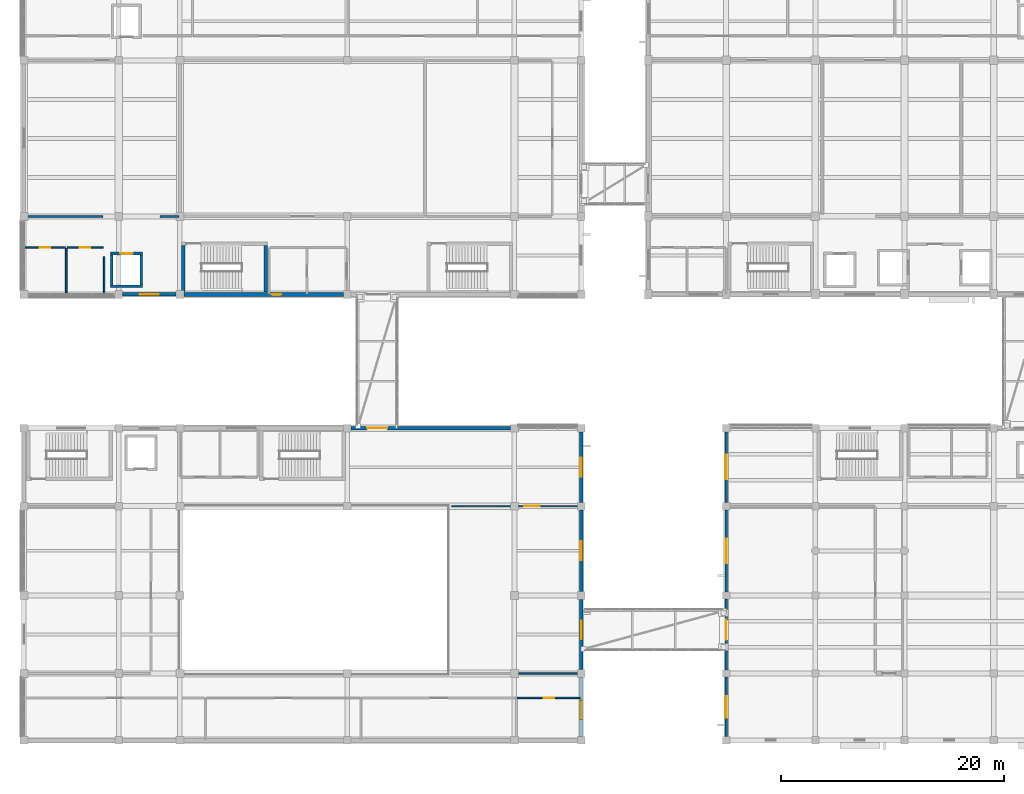
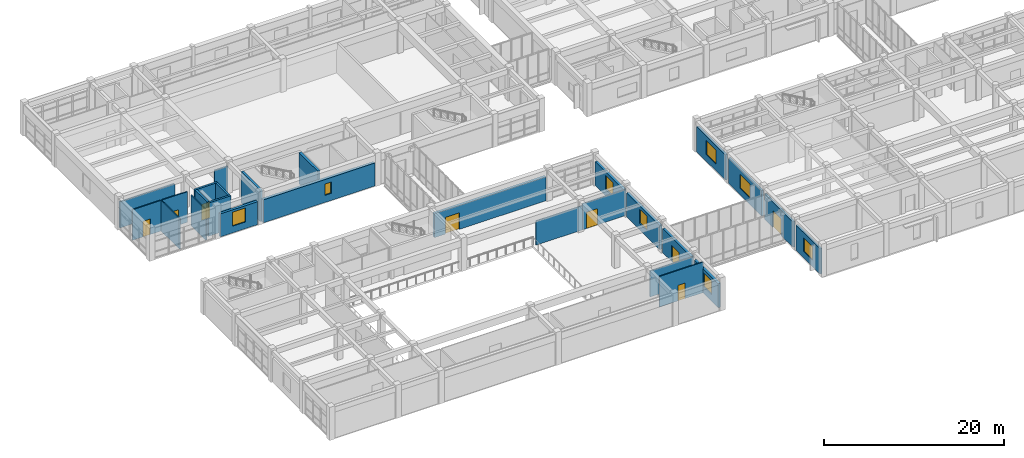
# One storey, part 46 of 70: 27 walls, 8 doors, 8 windows, 16 openings.
"""IFC4 building model written with IfcOpenShell, lengths in metres."""

from ifc_helpers import new_model, si_unit, direction, frame, frame_2d, origin, place, context, subcontext, project, spatial, rectangle, extrude, material, layer, layer_set, type_object, element, fill, save


model = new_model("IFC4")

# Units and contexts
model_context = context("Model", 3, precision=1e-05, world=origin(), true_north=direction((0.0, 1.0)))
body_context = subcontext(model_context, "Body", "Model", "MODEL_VIEW")
ifc_project = project(units=[si_unit("LENGTHUNIT", "METRE"), si_unit("AREAUNIT", "SQUARE_METRE"), si_unit("VOLUMEUNIT", "CUBIC_METRE"), si_unit("PLANEANGLEUNIT", "RADIAN"), si_unit("MASSUNIT", "GRAM", prefix="KILO")], contexts=[model_context])

# Site, building, storey
site_placement = place(None, origin())
site = spatial("IfcSite", under=ifc_project, at=site_placement, CompositionType="ELEMENT")
building_placement = place(site_placement, origin())
building = spatial("IfcBuilding", under=site, at=building_placement, Name="Naurynzar Civic Courthouse", CompositionType="ELEMENT")
storey_placement = place(building_placement, frame((0.0, 0.0, 5.39990234375)))
storey = spatial("IfcBuildingStorey", under=building, at=storey_placement, Name="L02", CompositionType="ELEMENT", Elevation=5.39990234375)

# Walls
ifc_material_1 = material(Name="Concrete C40/50", Category="concrete")
ifc_layer_1 = layer(ifc_material_1, 0.300048828125)
ifc_layer_set_1 = layer_set([ifc_layer_1], Name="WL-CORE-300")
wall_type_1 = type_object("IfcWallType", Name="WL-CORE-300", PredefinedType="SHEAR", material=ifc_layer_set_1)
for number, where, z_axis, x_axis, name in (
    (1, (20.300048828125, 48.39501953125, 0.0), (0.0, 0.0, 1.0), (0.0, -1.0, 0.0), "Stair ST-V1A enclosure wall west L02"),
    (2, (27.699951171875, 44.195068359375, 0.0), (0.0, 0.0, 1.0), (0.0, 1.0, 0.0), "Stair ST-V1A enclosure wall east L02"),
):
    element("IfcWall", number, at=place(storey_placement, frame(where, z_axis=z_axis, x_axis=x_axis)), inside=storey, type_object=wall_type_1, Name=name, PredefinedType="SHEAR", context=body_context, shape_type="SweptSolid", body=[
        extrude(rectangle(XDim=4.199951171875, YDim=0.300048828125, at=frame_2d((2.10009765625, 0.0))), origin(), (0.0, 0.0, 1.0), 4.239990234375),
    ])

# Wall, opening, window
ifc_material_2 = material(Name="Precast concrete C40/50", Category="concrete")
ifc_layer_2 = layer(ifc_material_2, 0.260009765625)
ifc_layer_set_2 = layer_set([ifc_layer_2], Name="WL-EXT-260")
wall_type_2 = type_object("IfcWallType", Name="WL-EXT-260", PredefinedType="SOLIDWALL", material=ifc_layer_set_2)
wall_1_placement = place(storey_placement, frame((69.0, 4.324951171875, 0.0), z_axis=(0.0, 0.0, 1.0), x_axis=(0.0, 1.0, 0.0)))
wall_1 = element("IfcWall", 3, at=wall_1_placement, inside=storey, type_object=wall_type_2, Name="V3 exterior wall west L02.1.1", PredefinedType="SOLIDWALL", context=body_context, shape_type="SweptSolid", body=[
    extrude(rectangle(XDim=5.35009765625, YDim=0.260009765625, at=frame_2d((2.675048828125, 0.0))), origin(), (0.0, 0.0, 1.0), 3.440185546875),
])
opening_1_placement = place(wall_1_placement, frame((1.699951171875, 0.0, 0.89990234375)))
opening_1 = element("IfcOpeningElement", 4, at=opening_1_placement, cuts=wall_1, Name="Opening WN-12", PredefinedType="OPENING", context=body_context, shape_type="SweptSolid", body=[
    extrude(rectangle(XDim=1.949951171875, YDim=1.85009765625, at=frame_2d((0.97509765625, 0.925048828125))), frame((0.0, 0.139892578125, 0.0), z_axis=(0.0, -1.0, 0.0), x_axis=(1.0, 0.0, 0.0)), (0.0, 0.0, 1.0), 0.280029296875),
])
ifc_material_3 = material(Name="Tempered Laminated Low-E Glass", Category="glass")
window_type_1 = type_object("IfcWindowType", Name="WIN-LIB-READ-1950x1850", PartitioningType="DOUBLE_PANEL_VERTICAL", PredefinedType="WINDOW", material=ifc_material_3)
window_1_placement = place(opening_1_placement, origin())
window_1 = element("IfcWindow", 5, at=window_1_placement, inside=storey, type_object=window_type_1, Name="V3 window 156 L02", OverallHeight=1.85009765625, OverallWidth=1.949951171875, PartitioningType="SINGLE_PANEL", PredefinedType="WINDOW", context=body_context, shape_type="SweptSolid", body=[
    extrude(rectangle(XDim=1.949951171875, YDim=1.85009765625, at=frame_2d((0.97509765625, 0.925048828125))), frame((0.0, 0.030029296875, 0.0), z_axis=(0.0, -1.0, 0.0), x_axis=(1.0, 0.0, 0.0)), (0.0, 0.0, 1.0), 0.06005859375),
])
fill(opening_1, window_1)

# Wall, opening, door
wall_2_placement = place(storey_placement, frame((69.0, 10.324951171875, 0.0), z_axis=(0.0, 0.0, 1.0), x_axis=(0.0, 1.0, 0.0)))
wall_2 = element("IfcWall", 6, at=wall_2_placement, inside=storey, type_object=wall_type_2, Name="V3 exterior wall west L02.2.1", PredefinedType="SOLIDWALL", context=body_context, shape_type="SweptSolid", body=[
    extrude(rectangle(XDim=6.35009765625, YDim=0.260009765625, at=frame_2d((3.175048828125, 0.0))), origin(), (0.0, 0.0, 1.0), 3.440185546875),
])
opening_2_placement = place(wall_2_placement, frame((2.675048828125, 0.0, 0.0)))
opening_2 = element("IfcOpeningElement", 7, at=opening_2_placement, cuts=wall_2, Name="Opening BD-19", PredefinedType="OPENING", context=body_context, shape_type="SweptSolid", body=[
    extrude(rectangle(XDim=1.800048828125, YDim=2.25, at=frame_2d((0.89990234375, 1.125))), frame((0.0, 0.139892578125, 0.0), z_axis=(0.0, -1.0, 0.0), x_axis=(1.0, 0.0, 0.0)), (0.0, 0.0, 1.0), 0.280029296875),
])
ifc_material_4 = material(Name="Aluminium 6063-T6", Category="aluminium")
door_type_1 = type_object("IfcDoorType", Name="DR-BRG-1800x2250", OperationType="DOUBLE_DOOR_SINGLE_SWING", PredefinedType="DOOR", material=ifc_material_4)
door_1_placement = place(opening_2_placement, origin())
door_1 = element("IfcDoor", 8, at=door_1_placement, inside=storey, type_object=door_type_1, Name="Seismic bridge fire door BD-19", OperationType="DOUBLE_DOOR_SINGLE_SWING", OverallHeight=2.25, OverallWidth=1.800048828125, PredefinedType="DOOR", context=body_context, shape_type="SweptSolid", body=[
    extrude(rectangle(XDim=1.800048828125, YDim=2.25, at=frame_2d((0.89990234375, 1.125))), frame((0.0, 0.02490234375, 0.0), z_axis=(0.0, -1.0, 0.0), x_axis=(1.0, 0.0, 0.0)), (0.0, 0.0, 1.0), 0.050048828125),
])
fill(opening_2, door_1)

# Wall, opening, window
wall_3_placement = place(storey_placement, frame((69.0, 17.324951171875, 0.0), z_axis=(0.0, 0.0, 1.0), x_axis=(0.0, 1.0, 0.0)))
wall_3 = element("IfcWall", 9, at=wall_3_placement, inside=storey, type_object=wall_type_2, Name="V3 exterior wall west L02.3.1", PredefinedType="SOLIDWALL", context=body_context, shape_type="SweptSolid", body=[
    extrude(rectangle(XDim=7.35009765625, YDim=0.260009765625, at=frame_2d((3.675048828125, 0.0))), origin(), (0.0, 0.0, 1.0), 3.440185546875),
])
opening_3_placement = place(wall_3_placement, frame((2.574951171875, 0.0, 0.89990234375)))
opening_3 = element("IfcOpeningElement", 10, at=opening_3_placement, cuts=wall_3, Name="Opening WN-11", PredefinedType="OPENING", context=body_context, shape_type="SweptSolid", body=[
    extrude(rectangle(XDim=2.199951171875, YDim=1.89990234375, at=frame_2d((1.10009765625, 0.949951171875))), frame((0.0, 0.139892578125, 0.0), z_axis=(0.0, -1.0, 0.0), x_axis=(1.0, 0.0, 0.0)), (0.0, 0.0, 1.0), 0.280029296875),
])
ifc_material_5 = material(Name="Tempered Laminated Low-E Glass", Category="glass")
window_type_2 = type_object("IfcWindowType", Name="WIN-LIB-READ-2200x1900", PartitioningType="DOUBLE_PANEL_VERTICAL", PredefinedType="WINDOW", material=ifc_material_5)
window_2_placement = place(opening_3_placement, origin())
window_2 = element("IfcWindow", 11, at=window_2_placement, inside=storey, type_object=window_type_2, Name="V3 window 157 L02", OverallHeight=1.89990234375, OverallWidth=2.199951171875, PartitioningType="SINGLE_PANEL", PredefinedType="WINDOW", context=body_context, shape_type="SweptSolid", body=[
    extrude(rectangle(XDim=2.199951171875, YDim=1.89990234375, at=frame_2d((1.10009765625, 0.949951171875))), frame((0.0, 0.030029296875, 0.0), z_axis=(0.0, -1.0, 0.0), x_axis=(1.0, 0.0, 0.0)), (0.0, 0.0, 1.0), 0.06005859375),
])
fill(opening_3, window_2)

wall_4_placement = place(storey_placement, frame((69.0, 25.324951171875, 0.0), z_axis=(0.0, 0.0, 1.0), x_axis=(0.0, 1.0, 0.0)))
wall_4 = element("IfcWall", 12, at=wall_4_placement, inside=storey, type_object=wall_type_2, Name="V3 exterior wall west L02.4.1", PredefinedType="SOLIDWALL", context=body_context, shape_type="SweptSolid", body=[
    extrude(rectangle(XDim=6.35009765625, YDim=0.260009765625, at=frame_2d((3.175048828125, 0.0))), origin(), (0.0, 0.0, 1.0), 3.440185546875),
])
opening_4_placement = place(wall_4_placement, frame((2.074951171875, 0.0, 0.89990234375)))
opening_4 = element("IfcOpeningElement", 13, at=opening_4_placement, cuts=wall_4, Name="Opening WN-11", PredefinedType="OPENING", context=body_context, shape_type="SweptSolid", body=[
    extrude(rectangle(XDim=2.199951171875, YDim=1.89990234375, at=frame_2d((1.10009765625, 0.949951171875))), frame((0.0, 0.139892578125, 0.0), z_axis=(0.0, -1.0, 0.0), x_axis=(1.0, 0.0, 0.0)), (0.0, 0.0, 1.0), 0.280029296875),
])
window_3_placement = place(opening_4_placement, origin())
window_3 = element("IfcWindow", 14, at=window_3_placement, inside=storey, type_object=window_type_2, Name="V3 window 158 L02", OverallHeight=1.89990234375, OverallWidth=2.199951171875, PartitioningType="SINGLE_PANEL", PredefinedType="WINDOW", context=body_context, shape_type="SweptSolid", body=[
    extrude(rectangle(XDim=2.199951171875, YDim=1.89990234375, at=frame_2d((1.10009765625, 0.949951171875))), frame((0.0, 0.030029296875, 0.0), z_axis=(0.0, -1.0, 0.0), x_axis=(1.0, 0.0, 0.0)), (0.0, 0.0, 1.0), 0.06005859375),
])
fill(opening_4, window_3)

ifc_material_6 = material(Name="Precast concrete C40/50", Category="concrete")
ifc_layer_3 = layer(ifc_material_6, 0.320068359375)
ifc_layer_set_3 = layer_set([ifc_layer_3], Name="WL-EXT-320")
wall_type_3 = type_object("IfcWallType", Name="WL-EXT-320", PredefinedType="SOLIDWALL", material=ifc_layer_set_3)
wall_5_placement = place(storey_placement, frame((19.64990234375, 44.0, 0.0), z_axis=(0.0, 0.0, 1.0), x_axis=(-1.0, 0.0, 0.0)))
wall_5 = element("IfcWall", 15, at=wall_5_placement, inside=storey, type_object=wall_type_3, Name="V1 exterior wall south L02.4.1", PredefinedType="SOLIDWALL", context=body_context, shape_type="SweptSolid", body=[
    extrude(rectangle(XDim=4.7998046875, YDim=0.320068359375, at=frame_2d((2.39990234375, 0.0))), origin(), (0.0, 0.0, 1.0), 3.110107421875),
])
opening_5_placement = place(wall_5_placement, frame((1.550048828125, 0.0, 0.89990234375)))
opening_5 = element("IfcOpeningElement", 16, at=opening_5_placement, cuts=wall_5, Name="Opening WN-14", PredefinedType="OPENING", context=body_context, shape_type="SweptSolid", body=[
    extrude(rectangle(XDim=1.699951171875, YDim=1.89990234375, at=frame_2d((0.85009765625, 0.949951171875))), frame((0.0, 0.169921875, 0.0), z_axis=(0.0, -1.0, 0.0), x_axis=(1.0, 0.0, 0.0)), (0.0, 0.0, 1.0), 0.340087890625),
])
ifc_material_7 = material(Name="Tempered Laminated Low-E Glass", Category="glass")
window_type_3 = type_object("IfcWindowType", Name="WIN-REG-1700x1900", PartitioningType="DOUBLE_PANEL_VERTICAL", PredefinedType="WINDOW", material=ifc_material_7)
window_4_placement = place(opening_5_placement, origin())
window_4 = element("IfcWindow", 17, at=window_4_placement, inside=storey, type_object=window_type_3, Name="V1 window 20 L02", OverallHeight=1.89990234375, OverallWidth=1.699951171875, PartitioningType="SINGLE_PANEL", PredefinedType="WINDOW", context=body_context, shape_type="SweptSolid", body=[
    extrude(rectangle(XDim=1.699951171875, YDim=1.89990234375, at=frame_2d((0.85009765625, 0.949951171875))), frame((0.0, 0.030029296875, 0.0), z_axis=(0.0, -1.0, 0.0), x_axis=(1.0, 0.0, 0.0)), (0.0, 0.0, 1.0), 0.06005859375),
])
fill(opening_5, window_4)

# Wall, opening, door
wall_6_placement = place(storey_placement, frame((35.35009765625, 32.0, 0.0), z_axis=(0.0, 0.0, 1.0), x_axis=(1.0, 0.0, 0.0)))
wall_6 = element("IfcWall", 18, at=wall_6_placement, inside=storey, type_object=wall_type_3, Name="V4 exterior wall north L02.4.1", PredefinedType="SOLIDWALL", context=body_context, shape_type="SweptSolid", body=[
    extrude(rectangle(XDim=14.2998046875, YDim=0.320068359375, at=frame_2d((7.14990234375, 0.0))), origin(), (0.0, 0.0, 1.0), 3.260009765625),
])
opening_6_placement = place(wall_6_placement, frame((1.449951171875, 0.0, 0.0)))
opening_6 = element("IfcOpeningElement", 19, at=opening_6_placement, cuts=wall_6, Name="Opening BD-29", PredefinedType="OPENING", context=body_context, shape_type="SweptSolid", body=[
    extrude(rectangle(XDim=1.800048828125, YDim=2.25, at=frame_2d((0.89990234375, 1.125))), frame((0.0, 0.169921875, 0.0), z_axis=(0.0, -1.0, 0.0), x_axis=(1.0, 0.0, 0.0)), (0.0, 0.0, 1.0), 0.340087890625),
])
door_2_placement = place(opening_6_placement, origin())
door_2 = element("IfcDoor", 20, at=door_2_placement, inside=storey, type_object=door_type_1, Name="Seismic bridge fire door BD-29", OperationType="DOUBLE_DOOR_SINGLE_SWING", OverallHeight=2.25, OverallWidth=1.800048828125, PredefinedType="DOOR", context=body_context, shape_type="SweptSolid", body=[
    extrude(rectangle(XDim=1.800048828125, YDim=2.25, at=frame_2d((0.89990234375, 1.125))), frame((0.0, 0.02490234375, 0.0), z_axis=(0.0, -1.0, 0.0), x_axis=(1.0, 0.0, 0.0)), (0.0, 0.0, 1.0), 0.050048828125),
])
fill(opening_6, door_2)

# Wall, opening, window
wall_7_placement = place(storey_placement, frame((56.0, 31.64990234375, 0.0), z_axis=(0.0, 0.0, 1.0), x_axis=(0.0, -1.0, 0.0)))
wall_7 = element("IfcWall", 21, at=wall_7_placement, inside=storey, type_object=wall_type_3, Name="V4 exterior wall east L02.1.1", PredefinedType="SOLIDWALL", context=body_context, shape_type="SweptSolid", body=[
    extrude(rectangle(XDim=6.2998046875, YDim=0.320068359375, at=frame_2d((3.14990234375, 0.0))), origin(), (0.0, 0.0, 1.0), 3.260009765625),
])
opening_7_placement = place(wall_7_placement, frame((2.300048828125, 0.0, 0.89990234375)))
opening_7 = element("IfcOpeningElement", 22, at=opening_7_placement, cuts=wall_7, Name="Opening WN-14", PredefinedType="OPENING", context=body_context, shape_type="SweptSolid", body=[
    extrude(rectangle(XDim=1.699951171875, YDim=1.89990234375, at=frame_2d((0.85009765625, 0.949951171875))), frame((0.0, 0.169921875, 0.0), z_axis=(0.0, -1.0, 0.0), x_axis=(1.0, 0.0, 0.0)), (0.0, 0.0, 1.0), 0.340087890625),
])
window_5_placement = place(opening_7_placement, origin())
window_5 = element("IfcWindow", 23, at=window_5_placement, inside=storey, type_object=window_type_3, Name="V4 window 219 L02", OverallHeight=1.89990234375, OverallWidth=1.699951171875, PartitioningType="SINGLE_PANEL", PredefinedType="WINDOW", context=body_context, shape_type="SweptSolid", body=[
    extrude(rectangle(XDim=1.699951171875, YDim=1.89990234375, at=frame_2d((0.85009765625, 0.949951171875))), frame((0.0, 0.030029296875, 0.0), z_axis=(0.0, -1.0, 0.0), x_axis=(1.0, 0.0, 0.0)), (0.0, 0.0, 1.0), 0.06005859375),
])
fill(opening_7, window_5)

wall_8_placement = place(storey_placement, frame((56.0, 24.64990234375, 0.0), z_axis=(0.0, 0.0, 1.0), x_axis=(0.0, -1.0, 0.0)))
wall_8 = element("IfcWall", 24, at=wall_8_placement, inside=storey, type_object=wall_type_3, Name="V4 exterior wall east L02.2.1", PredefinedType="SOLIDWALL", context=body_context, shape_type="SweptSolid", body=[
    extrude(rectangle(XDim=7.2998046875, YDim=0.320068359375, at=frame_2d((3.64990234375, 0.0))), origin(), (0.0, 0.0, 1.0), 3.260009765625),
])
opening_8_placement = place(wall_8_placement, frame((2.800048828125, 0.0, 0.89990234375)))
opening_8 = element("IfcOpeningElement", 25, at=opening_8_placement, cuts=wall_8, Name="Opening WN-14", PredefinedType="OPENING", context=body_context, shape_type="SweptSolid", body=[
    extrude(rectangle(XDim=1.699951171875, YDim=1.89990234375, at=frame_2d((0.85009765625, 0.949951171875))), frame((0.0, 0.169921875, 0.0), z_axis=(0.0, -1.0, 0.0), x_axis=(1.0, 0.0, 0.0)), (0.0, 0.0, 1.0), 0.340087890625),
])
window_6_placement = place(opening_8_placement, origin())
window_6 = element("IfcWindow", 26, at=window_6_placement, inside=storey, type_object=window_type_3, Name="V4 window 220 L02", OverallHeight=1.89990234375, OverallWidth=1.699951171875, PartitioningType="SINGLE_PANEL", PredefinedType="WINDOW", context=body_context, shape_type="SweptSolid", body=[
    extrude(rectangle(XDim=1.699951171875, YDim=1.89990234375, at=frame_2d((0.85009765625, 0.949951171875))), frame((0.0, 0.030029296875, 0.0), z_axis=(0.0, -1.0, 0.0), x_axis=(1.0, 0.0, 0.0)), (0.0, 0.0, 1.0), 0.06005859375),
])
fill(opening_8, window_6)

# Wall, opening, door
wall_9_placement = place(storey_placement, frame((56.0, 16.64990234375, 0.0), z_axis=(0.0, 0.0, 1.0), x_axis=(0.0, -1.0, 0.0)))
wall_9 = element("IfcWall", 27, at=wall_9_placement, inside=storey, type_object=wall_type_3, Name="V4 exterior wall east L02.3.1", PredefinedType="SOLIDWALL", context=body_context, shape_type="SweptSolid", body=[
    extrude(rectangle(XDim=6.2998046875, YDim=0.320068359375, at=frame_2d((3.14990234375, 0.0))), origin(), (0.0, 0.0, 1.0), 3.260009765625),
])
opening_9_placement = place(wall_9_placement, frame((1.925048828125, 0.0, 0.0)))
opening_9 = element("IfcOpeningElement", 28, at=opening_9_placement, cuts=wall_9, Name="Opening BD-30", PredefinedType="OPENING", context=body_context, shape_type="SweptSolid", body=[
    extrude(rectangle(XDim=1.64990234375, YDim=2.199951171875, at=frame_2d((0.824951171875, 1.10009765625))), frame((0.0, 0.169921875, 0.0), z_axis=(0.0, -1.0, 0.0), x_axis=(1.0, 0.0, 0.0)), (0.0, 0.0, 1.0), 0.340087890625),
])
ifc_material_8 = material(Name="Aluminium 6063-T6", Category="aluminium")
door_type_2 = type_object("IfcDoorType", Name="DR-BRG-1650x2200", OperationType="DOUBLE_DOOR_SINGLE_SWING", PredefinedType="DOOR", material=ifc_material_8)
door_3_placement = place(opening_9_placement, origin())
door_3 = element("IfcDoor", 29, at=door_3_placement, inside=storey, type_object=door_type_2, Name="Seismic bridge fire door BD-30", OperationType="DOUBLE_DOOR_SINGLE_SWING", OverallHeight=2.199951171875, OverallWidth=1.64990234375, PredefinedType="DOOR", context=body_context, shape_type="SweptSolid", body=[
    extrude(rectangle(XDim=1.64990234375, YDim=2.199951171875, at=frame_2d((0.824951171875, 1.10009765625))), frame((0.0, 0.02490234375, 0.0), z_axis=(0.0, -1.0, 0.0), x_axis=(1.0, 0.0, 0.0)), (0.0, 0.0, 1.0), 0.050048828125),
])
fill(opening_9, door_3)

# Wall, opening, window
wall_10_placement = place(storey_placement, frame((56.0, 9.64990234375, 0.0), z_axis=(0.0, 0.0, 1.0), x_axis=(0.0, -1.0, 0.0)))
wall_10 = element("IfcWall", 30, at=wall_10_placement, inside=storey, type_object=wall_type_3, Name="V4 exterior wall east L02.4.1", PredefinedType="SOLIDWALL", context=body_context, shape_type="SweptSolid", body=[
    extrude(rectangle(XDim=5.2998046875, YDim=0.320068359375, at=frame_2d((2.64990234375, 0.0))), origin(), (0.0, 0.0, 1.0), 3.260009765625),
])
opening_10_placement = place(wall_10_placement, frame((2.070068359375, 0.0, 0.89990234375)))
opening_10 = element("IfcOpeningElement", 31, at=opening_10_placement, cuts=wall_10, Name="Opening WN-14", PredefinedType="OPENING", context=body_context, shape_type="SweptSolid", body=[
    extrude(rectangle(XDim=1.699951171875, YDim=1.89990234375, at=frame_2d((0.85009765625, 0.949951171875))), frame((0.0, 0.169921875, 0.0), z_axis=(0.0, -1.0, 0.0), x_axis=(1.0, 0.0, 0.0)), (0.0, 0.0, 1.0), 0.340087890625),
])
window_7_placement = place(opening_10_placement, origin())
window_7 = element("IfcWindow", 32, at=window_7_placement, inside=storey, type_object=window_type_3, Name="V4 window 221 L02", OverallHeight=1.89990234375, OverallWidth=1.699951171875, PartitioningType="SINGLE_PANEL", PredefinedType="WINDOW", context=body_context, shape_type="SweptSolid", body=[
    extrude(rectangle(XDim=1.699951171875, YDim=1.89990234375, at=frame_2d((0.85009765625, 0.949951171875))), frame((0.0, 0.030029296875, 0.0), z_axis=(0.0, -1.0, 0.0), x_axis=(1.0, 0.0, 0.0)), (0.0, 0.0, 1.0), 0.06005859375),
])
fill(opening_10, window_7)

# Walls
ifc_material_9 = material(Name="Acoustic Double-Stud Gypsum Partition")
ifc_layer_4 = layer(ifc_material_9, 0.179931640625)
ifc_layer_set_4 = layer_set([ifc_layer_4], Name="WL-PART-JURY-180")
wall_type_4 = type_object("IfcWallType", Name="WL-PART-JURY-180", PredefinedType="PARTITIONING", material=ifc_layer_set_4)
wall_11_placement = place(storey_placement, frame((6.080078125, 51.0, 0.0), z_axis=(0.0, 0.0, 1.0), x_axis=(1.0, 0.0, 0.0)))
element("IfcWall", 33, at=wall_11_placement, inside=storey, type_object=wall_type_4, Name="V1 interior partition L02.222", PredefinedType="PARTITIONING", context=body_context, shape_type="SweptSolid", body=[
    extrude(rectangle(XDim=7.02001953125, YDim=0.179931640625, at=frame_2d((3.510009765625, 0.0))), origin(), (0.0, 0.0, 1.0), 3.530029296875),
])
wall_12_placement = place(storey_placement, frame((18.199951171875, 51.0, 0.0), z_axis=(0.0, 0.0, 1.0), x_axis=(1.0, 0.0, 0.0)))
element("IfcWall", 34, at=wall_12_placement, inside=storey, type_object=wall_type_4, Name="V1 interior partition L02.223", PredefinedType="PARTITIONING", context=body_context, shape_type="SweptSolid", body=[
    extrude(rectangle(XDim=1.719970703125, YDim=0.179931640625, at=frame_2d((0.85986328125, 0.0))), origin(), (0.0, 0.0, 1.0), 3.530029296875),
])
ifc_material_10 = material(Name="Metal-Stud Gypsum Partition")
ifc_layer_5 = layer(ifc_material_10, 0.125)
ifc_layer_set_5 = layer_set([ifc_layer_5], Name="WL-PART-STD-125")
wall_type_5 = type_object("IfcWallType", Name="WL-PART-STD-125", PredefinedType="PARTITIONING", material=ifc_layer_set_5)
wall_13_placement = place(storey_placement, frame((50.35009765625, 10.0, 0.0), z_axis=(0.0, 0.0, 1.0), x_axis=(1.0, 0.0, 0.0)))
element("IfcWall", 35, at=wall_13_placement, inside=storey, type_object=wall_type_5, Name="V4 interior partition L02.189ab", PredefinedType="PARTITIONING", context=body_context, shape_type="SweptSolid", body=[
    extrude(rectangle(XDim=5.56982421875, YDim=0.125, at=frame_2d((2.784912109375, 0.0))), origin(), (0.0, 0.0, 1.0), 3.530029296875),
])
wall_14_placement = place(storey_placement, frame((44.39990234375, 25.0, 0.0), z_axis=(0.0, 0.0, 1.0), x_axis=(1.0, 0.0, 0.0)))
element("IfcWall", 36, at=wall_14_placement, inside=storey, type_object=wall_type_5, Name="V4 interior partition L02.200a", PredefinedType="PARTITIONING", context=body_context, shape_type="SweptSolid", body=[
    extrude(rectangle(XDim=5.9501953125, YDim=0.125, at=frame_2d((2.97509765625, 0.0))), origin(), (0.0, 0.0, 1.0), 3.280029296875),
])

# Wall, opening, door
wall_15_placement = place(storey_placement, frame((50.35009765625, 25.0, 0.0), z_axis=(0.0, 0.0, 1.0), x_axis=(1.0, 0.0, 0.0)))
wall_15 = element("IfcWall", 37, at=wall_15_placement, inside=storey, type_object=wall_type_5, Name="V4 interior partition L02.200ab", PredefinedType="PARTITIONING", context=body_context, shape_type="SweptSolid", body=[
    extrude(rectangle(XDim=5.56982421875, YDim=0.125, at=frame_2d((2.784912109375, 0.0))), origin(), (0.0, 0.0, 1.0), 3.530029296875),
])
opening_11_placement = place(wall_15_placement, frame((0.52294921875, 0.0, 0.0)))
opening_11 = element("IfcOpeningElement", 38, at=opening_11_placement, cuts=wall_15, Name="Opening D-066", PredefinedType="OPENING", context=body_context, shape_type="SweptSolid", body=[
    extrude(rectangle(XDim=1.39990234375, YDim=2.199951171875, at=frame_2d((0.699951171875, 1.10009765625))), frame((0.0, 0.072509765625, 0.0), z_axis=(0.0, -1.0, 0.0), x_axis=(1.0, 0.0, 0.0)), (0.0, 0.0, 1.0), 0.14501953125),
])
ifc_material_11 = material(Name="Acoustic Oak Timber Grade A", Category="wood")
door_type_3 = type_object("IfcDoorType", Name="DR-SUITE-1400x2200", OperationType="NOTDEFINED", PredefinedType="DOOR", material=ifc_material_11)
door_4_placement = place(opening_11_placement, origin())
door_4 = element("IfcDoor", 39, at=door_4_placement, inside=storey, type_object=door_type_3, Name="Interior door D-066 (Family Claims Case Registry)", OperationType="SINGLE_SWING_RIGHT", OverallHeight=2.199951171875, OverallWidth=1.39990234375, PredefinedType="DOOR", context=body_context, shape_type="SweptSolid", body=[
    extrude(rectangle(XDim=1.39990234375, YDim=2.199951171875, at=frame_2d((0.699951171875, 1.10009765625))), frame((0.0, 0.02490234375, 0.0), z_axis=(0.0, -1.0, 0.0), x_axis=(1.0, 0.0, 0.0)), (0.0, 0.0, 1.0), 0.050048828125),
])
fill(opening_11, door_4)

ifc_material_12 = material(Name="Moisture-Resistant Plumbing Partition")
ifc_layer_6 = layer(ifc_material_12, 0.139892578125)
ifc_layer_set_6 = layer_set([ifc_layer_6], Name="WL-PART-WC-140")
wall_type_6 = type_object("IfcWallType", Name="WL-PART-WC-140", PredefinedType="PLUMBINGWALL", material=ifc_layer_set_6)
wall_16_placement = place(storey_placement, frame((50.27001953125, 7.800048828125, 0.0), z_axis=(0.0, 0.0, 1.0), x_axis=(1.0, 0.0, 0.0)))
wall_16 = element("IfcWall", 40, at=wall_16_placement, inside=storey, type_object=wall_type_6, Name="V4 interior partition L02.184", PredefinedType="PLUMBINGWALL", context=body_context, shape_type="SweptSolid", body=[
    extrude(rectangle(XDim=5.64990234375, YDim=0.139892578125, at=frame_2d((2.824951171875, 0.0))), origin(), (0.0, 0.0, 1.0), 4.14013671875),
])
opening_12_placement = place(wall_16_placement, frame((2.364990234375, 0.0, 0.0)))
opening_12 = element("IfcOpeningElement", 41, at=opening_12_placement, cuts=wall_16, Name="Opening D-070", PredefinedType="OPENING", context=body_context, shape_type="SweptSolid", body=[
    extrude(rectangle(XDim=0.919921875, YDim=2.10009765625, at=frame_2d((0.4599609375, 1.050048828125))), frame((0.0, 0.079833984375, 0.0), z_axis=(0.0, -1.0, 0.0), x_axis=(1.0, 0.0, 0.0)), (0.0, 0.0, 1.0), 0.159912109375),
])
ifc_material_13 = material(Name="Acoustic Oak Timber Grade A", Category="wood")
door_type_4 = type_object("IfcDoorType", Name="DR-WC-STD-920x2100", OperationType="NOTDEFINED", PredefinedType="DOOR", material=ifc_material_13)
door_5_placement = place(opening_12_placement, origin())
door_5 = element("IfcDoor", 42, at=door_5_placement, inside=storey, type_object=door_type_4, Name="Interior door D-070 (Staff WC V4)", OperationType="SINGLE_SWING_RIGHT", OverallHeight=2.10009765625, OverallWidth=0.919921875, PredefinedType="DOOR", context=body_context, shape_type="SweptSolid", body=[
    extrude(rectangle(XDim=0.919921875, YDim=2.10009765625, at=frame_2d((0.4599609375, 1.050048828125))), frame((0.0, 0.02490234375, 0.0), z_axis=(0.0, -1.0, 0.0), x_axis=(1.0, 0.0, 0.0)), (0.0, 0.0, 1.0), 0.050048828125),
])
fill(opening_12, door_5)

wall_17_placement = place(storey_placement, frame((6.080078125, 48.199951171875, 0.0), z_axis=(0.0, 0.0, 1.0), x_axis=(1.0, 0.0, 0.0)))
wall_17 = element("IfcWall", 43, at=wall_17_placement, inside=storey, type_object=wall_type_6, Name="V1 interior partition L02.214", PredefinedType="PLUMBINGWALL", context=body_context, shape_type="SweptSolid", body=[
    extrude(rectangle(XDim=3.639892578125, YDim=0.139892578125, at=frame_2d((1.81982421875, 0.0))), origin(), (0.0, 0.0, 1.0), 4.14013671875),
])
opening_13_placement = place(wall_17_placement, frame((1.360107421875, 0.0, 0.0)))
opening_13 = element("IfcOpeningElement", 44, at=opening_13_placement, cuts=wall_17, Name="Opening D-018", PredefinedType="OPENING", context=body_context, shape_type="SweptSolid", body=[
    extrude(rectangle(XDim=0.919921875, YDim=2.10009765625, at=frame_2d((0.4599609375, 1.050048828125))), frame((0.0, 0.079833984375, 0.0), z_axis=(0.0, -1.0, 0.0), x_axis=(1.0, 0.0, 0.0)), (0.0, 0.0, 1.0), 0.159912109375),
])
door_6_placement = place(opening_13_placement, origin())
door_6 = element("IfcDoor", 45, at=door_6_placement, inside=storey, type_object=door_type_4, Name="Interior door D-018 (Public WC V1)", OperationType="SINGLE_SWING_RIGHT", OverallHeight=2.10009765625, OverallWidth=0.919921875, PredefinedType="DOOR", context=body_context, shape_type="SweptSolid", body=[
    extrude(rectangle(XDim=0.919921875, YDim=2.10009765625, at=frame_2d((0.4599609375, 1.050048828125))), frame((0.0, 0.02490234375, 0.0), z_axis=(0.0, -1.0, 0.0), x_axis=(1.0, 0.0, 0.0)), (0.0, 0.0, 1.0), 0.050048828125),
])
fill(opening_13, door_6)

wall_18_placement = place(storey_placement, frame((9.8798828125, 48.199951171875, 0.0), z_axis=(0.0, 0.0, 1.0), x_axis=(1.0, 0.0, 0.0)))
wall_18 = element("IfcWall", 46, at=wall_18_placement, inside=storey, type_object=wall_type_6, Name="V1 interior partition L02.215", PredefinedType="PLUMBINGWALL", context=body_context, shape_type="SweptSolid", body=[
    extrude(rectangle(XDim=3.22021484375, YDim=0.139892578125, at=frame_2d((1.610107421875, 0.0))), origin(), (0.0, 0.0, 1.0), 4.14013671875),
])
opening_14_placement = place(wall_18_placement, frame((1.1298828125, 0.0, 0.0)))
opening_14 = element("IfcOpeningElement", 47, at=opening_14_placement, cuts=wall_18, Name="Opening D-019", PredefinedType="OPENING", context=body_context, shape_type="SweptSolid", body=[
    extrude(rectangle(XDim=0.9599609375, YDim=2.10009765625, at=frame_2d((0.47998046875, 1.050048828125))), frame((0.0, 0.079833984375, 0.0), z_axis=(0.0, -1.0, 0.0), x_axis=(1.0, 0.0, 0.0)), (0.0, 0.0, 1.0), 0.159912109375),
])
ifc_material_14 = material(Name="Acoustic Oak Timber Grade A", Category="wood")
door_type_5 = type_object("IfcDoorType", Name="DR-WC-ACC-960x2100", OperationType="NOTDEFINED", PredefinedType="DOOR", material=ifc_material_14)
door_7_placement = place(opening_14_placement, origin())
door_7 = element("IfcDoor", 48, at=door_7_placement, inside=storey, type_object=door_type_5, Name="Interior door D-019 (Accessible WC V1)", OperationType="SINGLE_SWING_LEFT", OverallHeight=2.10009765625, OverallWidth=0.9599609375, PredefinedType="DOOR", context=body_context, shape_type="SweptSolid", body=[
    extrude(rectangle(XDim=0.9599609375, YDim=2.10009765625, at=frame_2d((0.47998046875, 1.050048828125))), frame((0.0, 0.02490234375, 0.0), z_axis=(0.0, -1.0, 0.0), x_axis=(1.0, 0.0, 0.0)), (0.0, 0.0, 1.0), 0.050048828125),
])
fill(opening_14, door_7)

# Walls
wall_19_placement = place(storey_placement, frame((9.800048828125, 44.080078125, 0.0), z_axis=(0.0, 0.0, 1.0), x_axis=(0.0, 1.0, 0.0)))
element("IfcWall", 49, at=wall_19_placement, inside=storey, type_object=wall_type_6, Name="V1 interior partition L02.254", PredefinedType="PLUMBINGWALL", context=body_context, shape_type="SweptSolid", body=[
    extrude(rectangle(XDim=4.0400390625, YDim=0.139892578125, at=frame_2d((2.02001953125, 0.0))), origin(), (0.0, 0.0, 1.0), 4.14013671875),
])
wall_20_placement = place(storey_placement, frame((13.199951171875, 44.080078125, 0.0), z_axis=(0.0, 0.0, 1.0), x_axis=(0.0, 1.0, 0.0)))
element("IfcWall", 50, at=wall_20_placement, inside=storey, type_object=wall_type_6, Name="V1 interior partition L02.255", PredefinedType="PLUMBINGWALL", context=body_context, shape_type="SweptSolid", body=[
    extrude(rectangle(XDim=3.31982421875, YDim=0.139892578125, at=frame_2d((1.659912109375, 0.0))), origin(), (0.0, 0.0, 1.0), 4.14013671875),
])

# Wall, opening, window
ifc_material_15 = material(Name="Concrete C40/50", Category="concrete")
ifc_layer_7 = layer(ifc_material_15, 0.3798828125)
ifc_layer_set_7 = layer_set([ifc_layer_7], Name="WL-RET-380")
wall_type_7 = type_object("IfcWallType", Name="WL-RET-380", PredefinedType="STANDARD", material=ifc_layer_set_7)
wall_21_placement = place(storey_placement, frame((34.64990234375, 44.0, 0.0), z_axis=(0.0, 0.0, 1.0), x_axis=(-1.0, 0.0, 0.0)))
wall_21 = element("IfcWall", 51, at=wall_21_placement, inside=storey, type_object=wall_type_7, Name="V1 exterior wall south L02.3.1", PredefinedType="STANDARD", context=body_context, shape_type="SweptSolid", body=[
    extrude(rectangle(XDim=14.2998046875, YDim=0.3798828125, at=frame_2d((7.14990234375, 0.0))), origin(), (0.0, 0.0, 1.0), 3.110107421875),
])
opening_15_placement = place(wall_21_placement, frame((5.580078125, 0.0, 0.949951171875)))
opening_15 = element("IfcOpeningElement", 52, at=opening_15_placement, cuts=wall_21, Name="Opening WM-02", PredefinedType="OPENING", context=body_context, shape_type="SweptSolid", body=[
    extrude(rectangle(XDim=0.85009765625, YDim=1.550048828125, at=frame_2d((0.425048828125, 0.77490234375))), frame((0.0, 0.199951171875, 0.0), z_axis=(0.0, -1.0, 0.0), x_axis=(1.0, 0.0, 0.0)), (0.0, 0.0, 1.0), 0.39990234375),
])
ifc_material_16 = material(Name="Tempered Laminated Low-E Glass", Category="glass")
window_type_4 = type_object("IfcWindowType", Name="WIN-MOD-850x1550", PartitioningType="SINGLE_PANEL", PredefinedType="WINDOW", material=ifc_material_16)
window_8_placement = place(opening_15_placement, origin())
window_8 = element("IfcWindow", 53, at=window_8_placement, inside=storey, type_object=window_type_4, Name="Modular glazed window 2", OverallHeight=1.550048828125, OverallWidth=0.85009765625, PartitioningType="SINGLE_PANEL", PredefinedType="WINDOW", context=body_context, shape_type="SweptSolid", body=[
    extrude(rectangle(XDim=0.85009765625, YDim=1.550048828125, at=frame_2d((0.425048828125, 0.77490234375))), frame((0.0, 0.030029296875, 0.0), z_axis=(0.0, -1.0, 0.0), x_axis=(1.0, 0.0, 0.0)), (0.0, 0.0, 1.0), 0.06005859375),
])
fill(opening_15, window_8)

# Wall
ifc_material_17 = material(Name="Concrete C40/50", Category="concrete")
ifc_layer_8 = layer(ifc_material_17, 0.25)
ifc_layer_set_8 = layer_set([ifc_layer_8], Name="WL-SHAFT-250")
wall_type_8 = type_object("IfcWallType", Name="WL-SHAFT-250", PredefinedType="SHEAR", material=ifc_layer_set_8)
wall_22_placement = place(storey_placement, frame((13.75, 44.72509765625, 0.0), z_axis=(0.0, 0.0, 1.0), x_axis=(1.0, 0.0, 0.0)))
element("IfcWall", 54, at=wall_22_placement, inside=storey, type_object=wall_type_8, Name="Lift LP-01 shaft wall south L02", PredefinedType="SHEAR", context=body_context, shape_type="SweptSolid", body=[
    extrude(rectangle(XDim=2.89990234375, YDim=0.25, at=frame_2d((1.449951171875, 0.0))), origin(), (0.0, 0.0, 1.0), 4.5),
])

# Wall, opening, door
wall_23_placement = place(storey_placement, frame((16.64990234375, 47.675048828125, 0.0), z_axis=(0.0, 0.0, 1.0), x_axis=(-1.0, 0.0, 0.0)))
wall_23 = element("IfcWall", 55, at=wall_23_placement, inside=storey, type_object=wall_type_8, Name="Lift LP-01 shaft wall north L02", PredefinedType="SHEAR", context=body_context, shape_type="SweptSolid", body=[
    extrude(rectangle(XDim=2.89990234375, YDim=0.25, at=frame_2d((1.449951171875, 0.0))), origin(), (0.0, 0.0, 1.0), 4.5),
])
opening_16_placement = place(wall_23_placement, frame((0.89990234375, 0.0, 0.0)))
opening_16 = element("IfcOpeningElement", 56, at=opening_16_placement, cuts=wall_23, Name="Opening LD-003", PredefinedType="OPENING", context=body_context, shape_type="SweptSolid", body=[
    extrude(rectangle(XDim=1.10009765625, YDim=2.14990234375, at=frame_2d((0.550048828125, 1.074951171875))), frame((0.0, 0.135009765625, 0.0), z_axis=(0.0, -1.0, 0.0), x_axis=(1.0, 0.0, 0.0)), (0.0, 0.0, 1.0), 0.27001953125),
])
ifc_material_18 = material(Name="Brushed Stainless Steel 304", Category="steel")
door_type_6 = type_object("IfcDoorType", Name="DR-LIFT-SLIDE-1100x2150", OperationType="DOUBLE_DOOR_SLIDING", PredefinedType="DOOR", material=ifc_material_18)
door_8_placement = place(opening_16_placement, origin())
door_8 = element("IfcDoor", 57, at=door_8_placement, inside=storey, type_object=door_type_6, Name="Lift LP-01 sliding landing door L02", OperationType="DOUBLE_DOOR_SLIDING", OverallHeight=2.14990234375, OverallWidth=1.10009765625, PredefinedType="DOOR", context=body_context, shape_type="SweptSolid", body=[
    extrude(rectangle(XDim=1.10009765625, YDim=2.14990234375, at=frame_2d((0.550048828125, 1.074951171875))), frame((0.0, 0.02490234375, 0.0), z_axis=(0.0, -1.0, 0.0), x_axis=(1.0, 0.0, 0.0)), (0.0, 0.0, 1.0), 0.050048828125),
])
fill(opening_16, door_8)

# Walls
for number, where, z_axis, x_axis, name in (
    (58, (13.875, 47.544921875, 0.0), (0.0, 0.0, 1.0), (0.0, -1.0, 0.0), "Lift LP-01 shaft wall west L02"),
    (59, (16.52490234375, 44.85498046875, 0.0), (0.0, 0.0, 1.0), (0.0, 1.0, 0.0), "Lift LP-01 shaft wall east L02"),
):
    element("IfcWall", number, at=place(storey_placement, frame(where, z_axis=z_axis, x_axis=x_axis)), inside=storey, type_object=wall_type_8, Name=name, PredefinedType="SHEAR", context=body_context, shape_type="SweptSolid", body=[
        extrude(rectangle(XDim=2.68994140625, YDim=0.25, at=frame_2d((1.344970703125, 0.0))), origin(), (0.0, 0.0, 1.0), 4.5),
    ])

save(model, "model.ifc")
